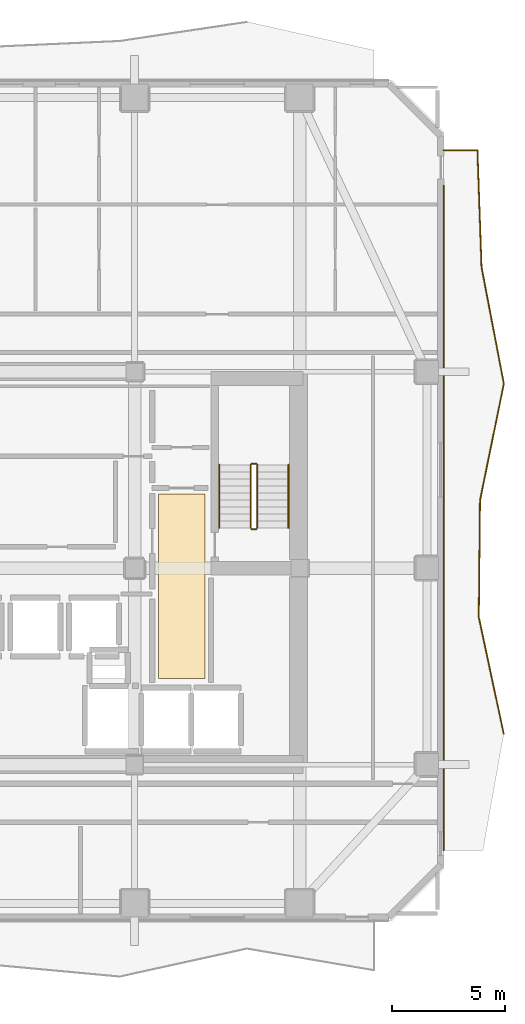
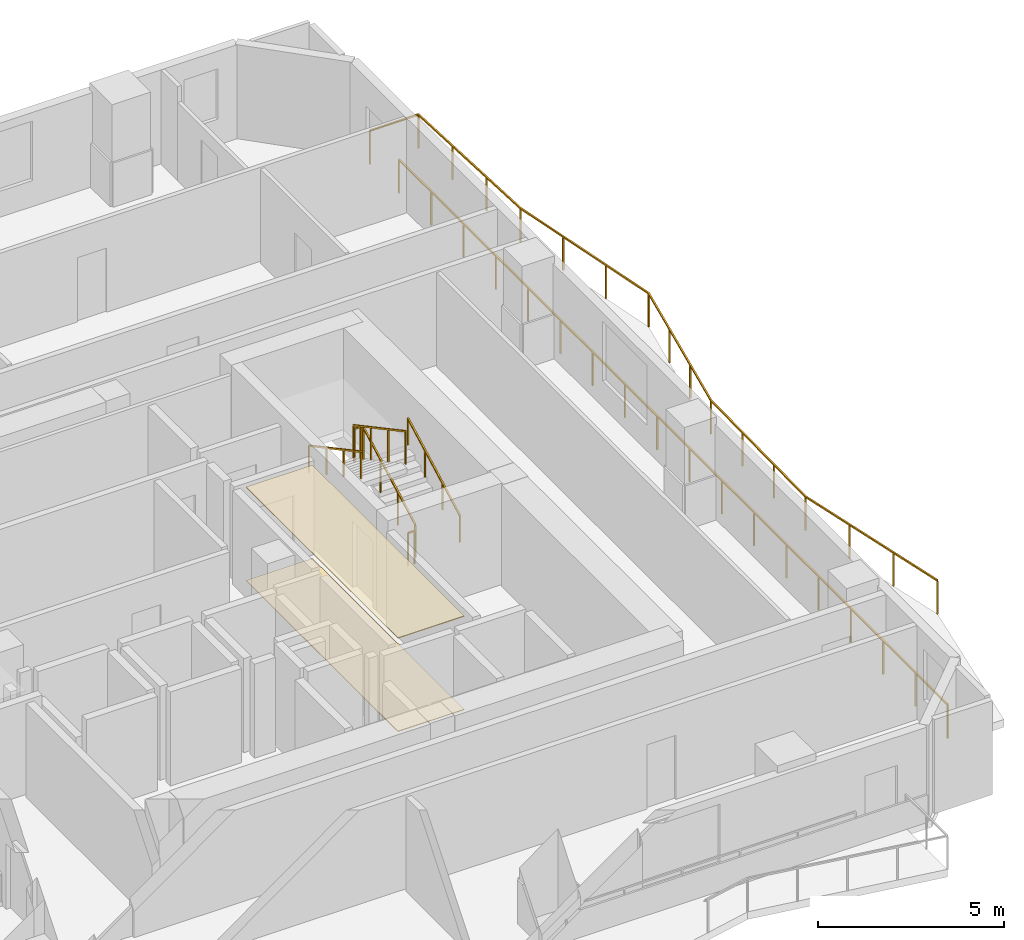
# One storey, part 9 of 10: 8 railings, 2 coverings.
"""IFC4 building model written with IfcOpenShell, lengths in metres."""

from ifc_helpers import new_model, si_unit, direction, frame, origin, origin_2d, place, context, subcontext, project, spatial, polyline, rectangle, outline, extrude, material, layer, layer_set, type_object, element, save


model = new_model("IFC4")

# Units and contexts
model_context = context("Model", 3, precision=1e-05, world=origin(), true_north=direction((0.0, 1.0)))
body_context = subcontext(model_context, "Body", "Model", "MODEL_VIEW")
ifc_project = project(units=[si_unit("LENGTHUNIT", "METRE"), si_unit("AREAUNIT", "SQUARE_METRE"), si_unit("VOLUMEUNIT", "CUBIC_METRE"), si_unit("PLANEANGLEUNIT", "RADIAN"), si_unit("MASSUNIT", "GRAM", prefix="KILO")], contexts=[model_context])

# Site, building, storey
site_placement = place(None, origin())
site = spatial("IfcSite", under=ifc_project, at=site_placement, CompositionType="ELEMENT")
building_placement = place(site_placement, origin())
building = spatial("IfcBuilding", under=site, at=building_placement, Name="Solanera Arch Residences", CompositionType="ELEMENT")
storey_placement = place(building_placement, frame((0.0, 0.0, 176.8798828125)))
storey = spatial("IfcBuildingStorey", under=building, at=storey_placement, Name="L51", CompositionType="ELEMENT", Elevation=176.8798828125)

# Railings
ifc_material_1 = material(Name="Steel S355 (ASTM A992 / A572 Grade 50)", Category="steel")
railing_type_1 = type_object("IfcRailingType", Name="Balustrade Railing BL-1100", PredefinedType="BALUSTRADE", material=ifc_material_1)
railing_1_placement = place(storey_placement, frame((45.54296875, 23.366943359375, 0.0)))
element("IfcRailing", 1, at=railing_1_placement, inside=storey, type_object=railing_type_1, Name="L51 E Balcony Balustrade 1", PredefinedType="BALUSTRADE", context=body_context, shape_type="SweptSolid", body=[
    extrude(rectangle(XDim=0.048095703125, YDim=0.048095703125, at=origin_2d()), frame((0.0, 0.0, 1.09619140625), z_axis=(-0.209162971778, 0.977880796026, 0.0), x_axis=(-0.977880796026, -0.209162971778, 0.0)), (0.0, 0.0, 1.0), 5.282958984375),
    extrude(rectangle(XDim=0.048095703125, YDim=0.048095703125, at=origin_2d()), frame((-1.10498046875, 5.166015625, 1.09619140625), z_axis=(0.01063065989, 0.999943492939, 0.0), x_axis=(-0.999943492939, 0.01063065989, 0.0)), (0.0, 0.0, 1.0), 5.167236328125),
    extrude(rectangle(XDim=0.048095703125, YDim=0.048095703125, at=origin_2d()), frame((-1.050048828125, 10.3330078125, 1.09619140625), z_axis=(0.200262932877, 0.979742189413, 0.0), x_axis=(-0.979742189413, 0.200262932877, 0.0)), (0.0, 0.0, 1.0), 5.27392578125),
    extrude(rectangle(XDim=0.048095703125, YDim=0.048095703125, at=origin_2d()), frame((0.006103515625, 15.5, 1.09619140625), z_axis=(-0.188031306964, 0.982163035143, 0.0), x_axis=(-0.982163035143, -0.188031306964, 0.0)), (0.0, 0.0, 1.0), 5.259765625),
    extrude(rectangle(XDim=0.048095703125, YDim=0.048095703125, at=origin_2d()), frame((-0.98291015625, 20.666015625, 1.09619140625), z_axis=(-0.035038007821, 0.999385980494, 0.0), x_axis=(-0.999385980494, -0.035038007821, 0.0)), (0.0, 0.0, 1.0), 5.170166015625),
    extrude(rectangle(XDim=0.048095703125, YDim=0.048095703125, at=origin_2d()), frame((-1.1640625, 25.8330078125, 1.09619140625), z_axis=(-1.0, 0.0, 0.0), x_axis=(0.0, -1.0, 0.0)), (0.0, 0.0, 1.0), 1.4990234375),
    extrude(rectangle(XDim=0.0419921875, YDim=0.0419921875, at=origin_2d()), origin(), (0.0, 0.0, 1.0), 1.072021484375),
    extrude(rectangle(XDim=0.0419921875, YDim=0.0419921875, at=origin_2d()), frame((-0.368408203125, 1.721923828125, 0.0)), (0.0, 0.0, 1.0), 1.072021484375),
    extrude(rectangle(XDim=0.0419921875, YDim=0.0419921875, at=origin_2d()), frame((-0.736572265625, 3.444091796875, 0.0)), (0.0, 0.0, 1.0), 1.072021484375),
    extrude(rectangle(XDim=0.0419921875, YDim=0.0419921875, at=origin_2d()), frame((-1.10498046875, 5.166015625, 0.0)), (0.0, 0.0, 1.0), 1.072021484375),
    extrude(rectangle(XDim=0.0419921875, YDim=0.0419921875, at=origin_2d()), frame((-1.086669921875, 6.888427734375, 0.0)), (0.0, 0.0, 1.0), 1.072021484375),
    extrude(rectangle(XDim=0.0419921875, YDim=0.0419921875, at=origin_2d()), frame((-1.068359375, 8.610595703125, 0.0)), (0.0, 0.0, 1.0), 1.072021484375),
    extrude(rectangle(XDim=0.0419921875, YDim=0.0419921875, at=origin_2d()), frame((-1.050048828125, 10.3330078125, 0.0)), (0.0, 0.0, 1.0), 1.072021484375),
    extrude(rectangle(XDim=0.0419921875, YDim=0.0419921875, at=origin_2d()), frame((-0.697998046875, 12.055419921875, 0.0)), (0.0, 0.0, 1.0), 1.072021484375),
    extrude(rectangle(XDim=0.0419921875, YDim=0.0419921875, at=origin_2d()), frame((-0.345947265625, 13.777587890625, 0.0)), (0.0, 0.0, 1.0), 1.072021484375),
    extrude(rectangle(XDim=0.0419921875, YDim=0.0419921875, at=origin_2d()), frame((0.006103515625, 15.5, 0.0)), (0.0, 0.0, 1.0), 1.072021484375),
    extrude(rectangle(XDim=0.0419921875, YDim=0.0419921875, at=origin_2d()), frame((-0.323486328125, 17.221923828125, 0.0)), (0.0, 0.0, 1.0), 1.072021484375),
    extrude(rectangle(XDim=0.0419921875, YDim=0.0419921875, at=origin_2d()), frame((-0.6533203125, 18.944091796875, 0.0)), (0.0, 0.0, 1.0), 1.072021484375),
    extrude(rectangle(XDim=0.0419921875, YDim=0.0419921875, at=origin_2d()), frame((-0.98291015625, 20.666015625, 0.0)), (0.0, 0.0, 1.0), 1.072021484375),
    extrude(rectangle(XDim=0.0419921875, YDim=0.0419921875, at=origin_2d()), frame((-1.043212890625, 22.388427734375, 0.0)), (0.0, 0.0, 1.0), 1.072021484375),
    extrude(rectangle(XDim=0.0419921875, YDim=0.0419921875, at=origin_2d()), frame((-1.103759765625, 24.110595703125, 0.0)), (0.0, 0.0, 1.0), 1.072021484375),
    extrude(rectangle(XDim=0.0419921875, YDim=0.0419921875, at=origin_2d()), frame((-1.1640625, 25.8330078125, 0.0)), (0.0, 0.0, 1.0), 1.072021484375),
    extrude(rectangle(XDim=0.0419921875, YDim=0.0419921875, at=origin_2d()), frame((-2.6630859375, 25.8330078125, 0.0)), (0.0, 0.0, 1.0), 1.072021484375),
])
railing_2_placement = place(storey_placement, frame((42.8798828125, 47.64111328125, 0.0)))
element("IfcRailing", 2, at=railing_2_placement, inside=storey, type_object=railing_type_1, Name="L51 E Balcony Balustrade 2", PredefinedType="BALUSTRADE", context=body_context, shape_type="SweptSolid", body=[
    extrude(rectangle(XDim=0.048095703125, YDim=0.048095703125, at=origin_2d()), frame((0.0, 0.0, 1.09619140625), z_axis=(0.0, -1.0, 0.0), x_axis=(1.0, 0.0, 0.0)), (0.0, 0.0, 1.0), 29.441162109375),
    extrude(rectangle(XDim=0.0419921875, YDim=0.0419921875, at=origin_2d()), origin(), (0.0, 0.0, 1.0), 1.072021484375),
    extrude(rectangle(XDim=0.0419921875, YDim=0.0419921875, at=origin_2d()), frame((0.0, -1.73193359375, 0.0)), (0.0, 0.0, 1.0), 1.072021484375),
    extrude(rectangle(XDim=0.0419921875, YDim=0.0419921875, at=origin_2d()), frame((0.0, -3.463623046875, 0.0)), (0.0, 0.0, 1.0), 1.072021484375),
    extrude(rectangle(XDim=0.0419921875, YDim=0.0419921875, at=origin_2d()), frame((0.0, -5.195556640625, 0.0)), (0.0, 0.0, 1.0), 1.072021484375),
    extrude(rectangle(XDim=0.0419921875, YDim=0.0419921875, at=origin_2d()), frame((0.0, -6.92724609375, 0.0)), (0.0, 0.0, 1.0), 1.072021484375),
    extrude(rectangle(XDim=0.0419921875, YDim=0.0419921875, at=origin_2d()), frame((0.0, -8.6591796875, 0.0)), (0.0, 0.0, 1.0), 1.072021484375),
    extrude(rectangle(XDim=0.0419921875, YDim=0.0419921875, at=origin_2d()), frame((0.0, -10.39111328125, 0.0)), (0.0, 0.0, 1.0), 1.072021484375),
    extrude(rectangle(XDim=0.0419921875, YDim=0.0419921875, at=origin_2d()), frame((0.0, -12.122802734375, 0.0)), (0.0, 0.0, 1.0), 1.072021484375),
    extrude(rectangle(XDim=0.0419921875, YDim=0.0419921875, at=origin_2d()), frame((0.0, -13.854736328125, 0.0)), (0.0, 0.0, 1.0), 1.072021484375),
    extrude(rectangle(XDim=0.0419921875, YDim=0.0419921875, at=origin_2d()), frame((0.0, -15.58642578125, 0.0)), (0.0, 0.0, 1.0), 1.072021484375),
    extrude(rectangle(XDim=0.0419921875, YDim=0.0419921875, at=origin_2d()), frame((0.0, -17.318359375, 0.0)), (0.0, 0.0, 1.0), 1.072021484375),
    extrude(rectangle(XDim=0.0419921875, YDim=0.0419921875, at=origin_2d()), frame((0.0, -19.050048828125, 0.0)), (0.0, 0.0, 1.0), 1.072021484375),
    extrude(rectangle(XDim=0.0419921875, YDim=0.0419921875, at=origin_2d()), frame((0.0, -20.781982421875, 0.0)), (0.0, 0.0, 1.0), 1.072021484375),
    extrude(rectangle(XDim=0.0419921875, YDim=0.0419921875, at=origin_2d()), frame((0.0, -22.513916015625, 0.0)), (0.0, 0.0, 1.0), 1.072021484375),
    extrude(rectangle(XDim=0.0419921875, YDim=0.0419921875, at=origin_2d()), frame((0.0, -24.24560546875, 0.0)), (0.0, 0.0, 1.0), 1.072021484375),
    extrude(rectangle(XDim=0.0419921875, YDim=0.0419921875, at=origin_2d()), frame((0.0, -25.9775390625, 0.0)), (0.0, 0.0, 1.0), 1.072021484375),
    extrude(rectangle(XDim=0.0419921875, YDim=0.0419921875, at=origin_2d()), frame((0.0, -27.709228515625, 0.0)), (0.0, 0.0, 1.0), 1.072021484375),
    extrude(rectangle(XDim=0.0419921875, YDim=0.0419921875, at=origin_2d()), frame((0.0, -29.441162109375, 0.0)), (0.0, 0.0, 1.0), 1.072021484375),
])

# Covering
ifc_material_2 = material(Name="Porcelain Acoustic Floor Tile", Category="ceramic")
ifc_layer_1 = layer(ifc_material_2, 0.02001953125)
ifc_layer_set_1 = layer_set([ifc_layer_1], Name="Porcelain Acoustic Floor Tile")
covering_type_1 = type_object("IfcCoveringType", Name="Porcelain Acoustic Floor Finish FLR-20", PredefinedType="FLOORING", material=ifc_layer_set_1)
covering_1_placement = place(storey_placement, origin())
element("IfcCovering", 3, at=covering_1_placement, inside=storey, type_object=covering_type_1, Name="L51-FFL-E Porcelain Floor Finish", PredefinedType="FLOORING", context=body_context, shape_type="SweptSolid", body=[
    extrude(outline(polyline([(32.304931640625, 25.824951171875), (30.25, 25.824951171875), (30.25, 33.97509765625), (32.304931640625, 33.97509765625), (32.304931640625, 25.824951171875)])), origin(), (0.0, 0.0, 1.0), 0.02001953125),
])

# Railings
ifc_material_3 = material(Name="Steel S355 (ASTM A992 / A572 Grade 50)", Category="steel")
railing_type_2 = type_object("IfcRailingType", Name="Stair Guardrail GR-1100", PredefinedType="GUARDRAIL", material=ifc_material_3)
railing_3_placement = place(storey_placement, frame((34.6298828125, 32.47998046875, 0.151123046875)))
element("IfcRailing", 4, at=railing_3_placement, inside=storey, type_object=railing_type_2, Name="L51 ST-T2 stair guard 1", PredefinedType="GUARDRAIL", context=body_context, shape_type="SweptSolid", body=[
    extrude(rectangle(XDim=0.048095703125, YDim=0.048095703125, at=origin_2d()), frame((0.0, 0.0, 1.076171875), z_axis=(0.0, 0.881580869306, 0.472033018838), x_axis=(-1.0, 0.0, 0.0)), (0.0, 0.0, 1.0), 3.164794921875),
    extrude(rectangle(XDim=0.0419921875, YDim=0.0419921875, at=origin_2d()), origin(), (0.0, 0.0, 1.0), 1.052001953125),
    extrude(rectangle(XDim=0.0419921875, YDim=0.0419921875, at=origin_2d()), frame((0.0, 0.929931640625, 0.498046875)), (0.0, 0.0, 1.0), 1.052001953125),
    extrude(rectangle(XDim=0.0419921875, YDim=0.0419921875, at=origin_2d()), frame((0.0, 1.860107421875, 0.995849609375)), (0.0, 0.0, 1.0), 1.052001953125),
    extrude(rectangle(XDim=0.0419921875, YDim=0.0419921875, at=origin_2d()), frame((0.0, 2.7900390625, 1.493896484375)), (0.0, 0.0, 1.0), 1.052001953125),
])
railing_4_placement = place(storey_placement, frame((34.580078125, 35.320068359375, 1.64501953125)))
element("IfcRailing", 5, at=railing_4_placement, inside=storey, type_object=railing_type_2, Name="L51 ST-T2 stair guard 2", PredefinedType="GUARDRAIL", context=body_context, shape_type="SweptSolid", body=[
    extrude(rectangle(XDim=0.048095703125, YDim=0.048095703125, at=origin_2d()), frame((0.0, 0.0, 1.076171875), z_axis=(-1.0, 0.0, 0.0), x_axis=(0.0, -1.0, 0.0)), (0.0, 0.0, 1.0), 0.2001953125),
    extrude(rectangle(XDim=0.0419921875, YDim=0.0419921875, at=origin_2d()), origin(), (0.0, 0.0, 1.0), 1.052001953125),
    extrude(rectangle(XDim=0.0419921875, YDim=0.0419921875, at=origin_2d()), frame((-0.2001953125, 0.0, 0.0)), (0.0, 0.0, 1.0), 1.052001953125),
])
railing_5_placement = place(storey_placement, frame((34.330078125, 35.27001953125, 1.81103515625)))
element("IfcRailing", 6, at=railing_5_placement, inside=storey, type_object=railing_type_2, Name="L51 ST-T2 stair guard 3", PredefinedType="GUARDRAIL", context=body_context, shape_type="SweptSolid", body=[
    extrude(rectangle(XDim=0.048095703125, YDim=0.048095703125, at=origin_2d()), frame((0.0, 0.0, 1.076171875), z_axis=(0.0, -0.881548766853, 0.472092969298), x_axis=(1.0, 0.0, 0.0)), (0.0, 0.0, 1.0), 3.1650390625),
    extrude(rectangle(XDim=0.0419921875, YDim=0.0419921875, at=origin_2d()), origin(), (0.0, 0.0, 1.0), 1.052001953125),
    extrude(rectangle(XDim=0.0419921875, YDim=0.0419921875, at=origin_2d()), frame((0.0, -0.929931640625, 0.498046875)), (0.0, 0.0, 1.0), 1.052001953125),
    extrude(rectangle(XDim=0.0419921875, YDim=0.0419921875, at=origin_2d()), frame((0.0, -1.860107421875, 0.99609375)), (0.0, 0.0, 1.0), 1.052001953125),
    extrude(rectangle(XDim=0.0419921875, YDim=0.0419921875, at=origin_2d()), frame((0.0, -2.7900390625, 1.494140625)), (0.0, 0.0, 1.0), 1.052001953125),
])
railing_6_placement = place(storey_placement, frame((34.580078125, 32.429931640625, -0.014892578125)))
element("IfcRailing", 7, at=railing_6_placement, inside=storey, type_object=railing_type_2, Name="L51 ST-T2 stair guard 4", PredefinedType="GUARDRAIL", context=body_context, shape_type="SweptSolid", body=[
    extrude(rectangle(XDim=0.048095703125, YDim=0.048095703125, at=origin_2d()), frame((0.0, 0.0, 1.076171875), z_axis=(-1.0, 0.0, 0.0), x_axis=(0.0, -1.0, 0.0)), (0.0, 0.0, 1.0), 0.2001953125),
    extrude(rectangle(XDim=0.0419921875, YDim=0.0419921875, at=origin_2d()), origin(), (0.0, 0.0, 1.0), 1.052001953125),
    extrude(rectangle(XDim=0.0419921875, YDim=0.0419921875, at=origin_2d()), frame((-0.2001953125, 0.0, 0.0)), (0.0, 0.0, 1.0), 1.052001953125),
])
ifc_material_4 = material(Name="Steel S355 (ASTM A992 / A572 Grade 50)", Category="steel")
railing_type_3 = type_object("IfcRailingType", Name="Stair Wall Handrail HR-920", PredefinedType="HANDRAIL", material=ifc_material_4)
railing_7_placement = place(storey_placement, frame((36.010009765625, 32.47998046875, 0.166015625)))
element("IfcRailing", 8, at=railing_7_placement, inside=storey, type_object=railing_type_3, Name="L51 ST-T2 stair handrail 1", PredefinedType="HANDRAIL", context=body_context, shape_type="SweptSolid", body=[
    extrude(rectangle(XDim=0.048095703125, YDim=0.048095703125, at=origin_2d()), frame((0.0, 0.0, 0.8759765625), z_axis=(0.0, 0.881548766853, 0.472092969298), x_axis=(-1.0, 0.0, 0.0)), (0.0, 0.0, 1.0), 3.1650390625),
    extrude(rectangle(XDim=0.0419921875, YDim=0.0419921875, at=origin_2d()), origin(), (0.0, 0.0, 1.0), 0.851806640625),
    extrude(rectangle(XDim=0.0419921875, YDim=0.0419921875, at=origin_2d()), frame((0.0, 0.929931640625, 0.498046875)), (0.0, 0.0, 1.0), 0.851806640625),
    extrude(rectangle(XDim=0.0419921875, YDim=0.0419921875, at=origin_2d()), frame((0.0, 1.860107421875, 0.99609375)), (0.0, 0.0, 1.0), 0.851806640625),
    extrude(rectangle(XDim=0.0419921875, YDim=0.0419921875, at=origin_2d()), frame((0.0, 2.7900390625, 1.494140625)), (0.0, 0.0, 1.0), 0.851806640625),
])
railing_8_placement = place(storey_placement, frame((32.949951171875, 35.27001953125, 1.826171875)))
element("IfcRailing", 9, at=railing_8_placement, inside=storey, type_object=railing_type_3, Name="L51 ST-T2 stair handrail 2", PredefinedType="HANDRAIL", context=body_context, shape_type="SweptSolid", body=[
    extrude(rectangle(XDim=0.048095703125, YDim=0.048095703125, at=origin_2d()), frame((0.0, 0.0, 0.8759765625), z_axis=(0.0, -0.881580869306, 0.472033018838), x_axis=(1.0, 0.0, 0.0)), (0.0, 0.0, 1.0), 3.164794921875),
    extrude(rectangle(XDim=0.0419921875, YDim=0.0419921875, at=origin_2d()), origin(), (0.0, 0.0, 1.0), 0.851806640625),
    extrude(rectangle(XDim=0.0419921875, YDim=0.0419921875, at=origin_2d()), frame((0.0, -0.929931640625, 0.498046875)), (0.0, 0.0, 1.0), 0.851806640625),
    extrude(rectangle(XDim=0.0419921875, YDim=0.0419921875, at=origin_2d()), frame((0.0, -1.860107421875, 0.995849609375)), (0.0, 0.0, 1.0), 0.851806640625),
    extrude(rectangle(XDim=0.0419921875, YDim=0.0419921875, at=origin_2d()), frame((0.0, -2.7900390625, 1.493896484375)), (0.0, 0.0, 1.0), 0.851806640625),
])

# Covering
ifc_material_5 = material(Name="Mineral Fibre Acoustic Ceiling Board", Category="gypsum")
ifc_layer_2 = layer(ifc_material_5, 0.02490234375)
ifc_layer_set_2 = layer_set([ifc_layer_2], Name="Mineral Fibre Acoustic Ceiling Board")
covering_type_2 = type_object("IfcCoveringType", Name="Suspended Acoustic Ceiling Board CLG-25", PredefinedType="CEILING", material=ifc_layer_set_2)
covering_2_placement = place(storey_placement, frame((0.0, 0.0, 3.05517578125)))
element("IfcCovering", 10, at=covering_2_placement, inside=storey, type_object=covering_type_2, Name="L51-FFL-E Acoustic Ceiling", PredefinedType="CEILING", context=body_context, shape_type="SweptSolid", body=[
    extrude(outline(polyline([(32.304931640625, 25.824951171875), (30.25, 25.824951171875), (30.25, 33.97509765625), (32.304931640625, 33.97509765625), (32.304931640625, 25.824951171875)])), origin(), (0.0, 0.0, 1.0), 0.02490234375),
])

save(model, "model.ifc")
